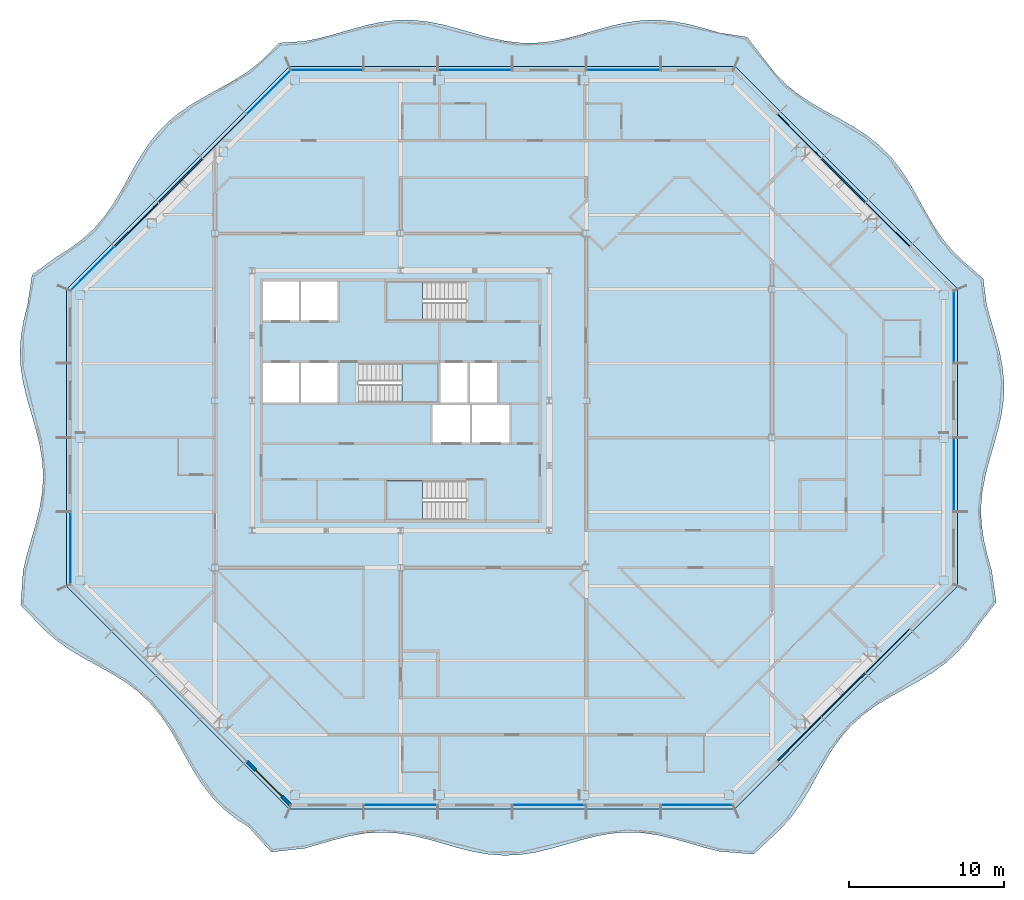
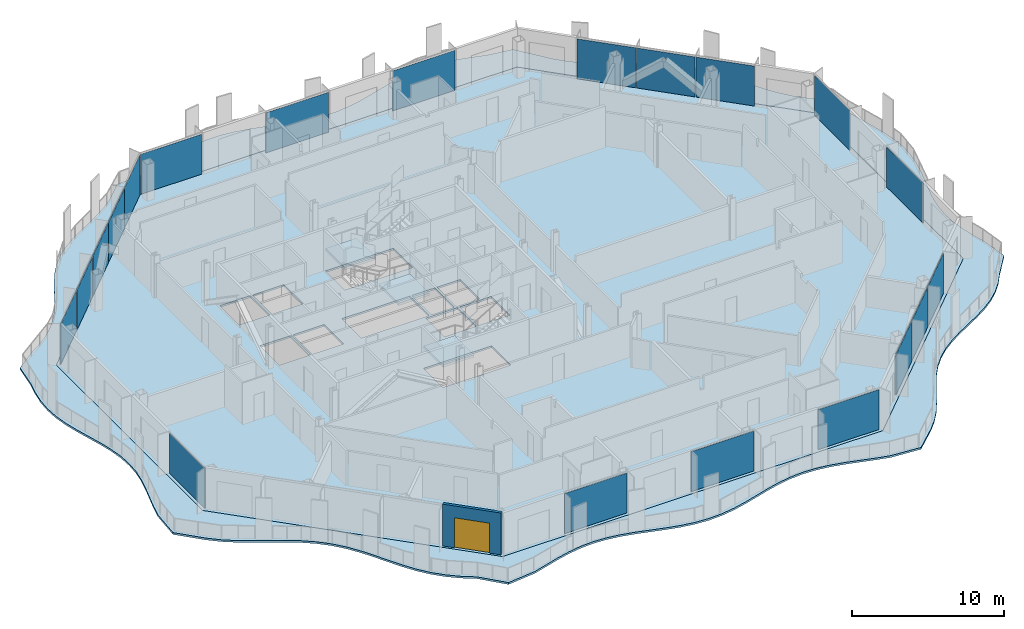
# One storey, part 6 of 19: 20 plates, 5 slabs, 1 door, 1 wall, 1 opening, 10 elements without a shape of their own.
"""IFC4 building model written with IfcOpenShell, lengths in metres."""

from ifc_helpers import new_model, si_unit, direction, frame, frame_2d, origin, origin_2d, place, context, subcontext, project, spatial, polyline, rectangle, outline, extrude, material, layer, layer_set, type_object, element, fill, aggregate, save


model = new_model("IFC4")

# Units and contexts
model_context = context("Model", 3, precision=1e-05, world=origin(), true_north=direction((0.0, 1.0)))
body_context = subcontext(model_context, "Body", "Model", "MODEL_VIEW")
ifc_project = project(units=[si_unit("LENGTHUNIT", "METRE"), si_unit("AREAUNIT", "SQUARE_METRE"), si_unit("VOLUMEUNIT", "CUBIC_METRE"), si_unit("PLANEANGLEUNIT", "RADIAN"), si_unit("MASSUNIT", "GRAM", prefix="KILO")], contexts=[model_context])

# Site, building, storey
site_placement = place(None, origin())
site = spatial("IfcSite", under=ifc_project, at=site_placement, CompositionType="ELEMENT")
building_placement = place(site_placement, origin())
building = spatial("IfcBuilding", under=site, at=building_placement, Name="Cairn Pilgrim Tower", CompositionType="ELEMENT")
storey_placement = place(building_placement, frame((0.0, 0.0, 201.0)))
storey = spatial("IfcBuildingStorey", under=building, at=storey_placement, Name="L51", CompositionType="ELEMENT", Elevation=201.0)

# Slabs
ifc_material_1 = material(Name="Concrete C35/45", Category="concrete")
ifc_layer_1 = layer(ifc_material_1, 0.14990234375)
ifc_layer_set_1 = layer_set([ifc_layer_1], Name="BALCONY SLAB 150 CONCRETE C35/45")
slab_type_1 = type_object("IfcSlabType", Name="BALCONY SLAB 150 CONCRETE C35/45", PredefinedType="FLOOR", material=ifc_layer_set_1)
slab_1_placement = place(storey_placement, frame((0.0, 0.0, -0.14990234375)))
element("IfcSlab", 1, at=slab_1_placement, inside=storey, type_object=slab_type_1, Name="Balcony slab BS-1", PredefinedType="FLOOR", context=body_context, shape_type="SweptSolid", body=[
    extrude(outline(polyline([(-2.615966796875, -25.17578125), (-1.151611328125, -26.7802734375), (0.9931640625, -26.538818359375), (1.986328125, -26.254150390625), (2.979248046875, -25.968505859375), (3.972412109375, -25.725341796875), (4.965576171875, -25.56103515625), (5.958740234375, -25.5), (6.95166015625, -25.5517578125), (7.94482421875, -25.708251953125), (8.93798828125, -25.9462890625), (9.93115234375, -26.229736328125), (10.924072265625, -26.516357421875), (11.917236328125, -26.762939453125), (12.910400390625, -26.932373046875), (13.903564453125, -26.99951171875), (14.896484375, -26.9541015625), (15.8896484375, -26.802734375), (16.8828125, -26.568603515625), (17.8759765625, -26.28662109375), (18.868896484375, -25.9990234375), (19.862060546875, -25.749267578125), (20.855224609375, -25.574462890625), (21.848388671875, -25.501220703125), (22.84130859375, -25.54052734375), (23.83447265625, -25.686279296875), (24.82763671875, -25.916748046875), (25.82080078125, -26.197265625), (26.813720703125, -26.485595703125), (27.806884765625, -26.738525390625), (30.0087890625, -26.918212890625), (31.639892578125, -25.39990234375), (32.3330078125, -24.653076171875), (32.94677734375, -23.82666015625), (33.498046875, -22.938232421875), (34.013671875, -22.013671875), (34.525634765625, -21.085693359375), (35.06689453125, -20.186767578125), (35.66552734375, -19.345458984375), (36.3408203125, -18.580810546875), (37.099609375, -17.899658203125), (37.93603515625, -17.296142578125), (38.831787109375, -16.751708984375), (39.7587890625, -16.23876953125), (40.6845703125, -15.724609375), (41.57666015625, -15.1767578125), (42.407958984375, -14.56787109375), (43.160888671875, -13.880859375), (43.830078125, -13.110107421875), (44.423828125, -12.263916015625), (45.691650390625, -10.632080078125), (45.3984375, -8.58935546875), (45.11328125, -7.578857421875), (44.88037109375, -6.568359375), (44.736083984375, -5.557861328125), (44.70263671875, -4.54736328125), (44.785400390625, -3.536865234375), (44.9716796875, -2.5263671875), (45.23193359375, -1.515869140625), (45.5263671875, -0.50537109375), (45.80859375, 0.50537109375), (46.035400390625, 1.515869140625), (46.171142578125, 2.5263671875), (46.19482421875, 3.536865234375), (46.1025390625, 4.54736328125), (45.9091796875, 5.557861328125), (45.644287109375, 6.568359375), (45.34912109375, 7.578857421875), (45.06982421875, 8.58935546875), (44.849365234375, 10.283203125), (43.55615234375, 11.396240234375), (42.8271484375, 12.107177734375), (42.180908203125, 12.90087890625), (41.605712890625, 13.765625), (41.07861328125, 14.678466796875), (40.569091796875, 15.609130859375), (40.044189453125, 16.5244140625), (39.47314453125, 17.39306640625), (38.832275390625, 18.1923828125), (38.109130859375, 18.9091796875), (37.30419921875, 19.544189453125), (36.430908203125, 20.111083984375), (35.513671875, 20.633544921875), (34.583251953125, 21.14306640625), (33.6728515625, 21.6728515625), (32.812744140625, 22.252685546875), (32.02490234375, 22.905029296875), (31.320068359375, 23.64013671875), (30.696044921875, 24.4560546875), (29.583251953125, 25.89111328125), (27.806884765625, 26.16845703125), (26.813720703125, 26.4580078125), (25.82080078125, 26.71630859375), (24.82763671875, 26.904541015625), (23.83447265625, 26.99462890625), (22.84130859375, 26.972900390625), (21.848388671875, 26.842529296875), (20.855224609375, 26.623046875), (19.862060546875, 26.34765625), (18.868896484375, 26.0576171875), (17.8759765625, 25.796630859375), (16.8828125, 25.603515625), (15.8896484375, 25.507568359375), (14.896484375, 25.52294921875), (13.903564453125, 25.647705078125), (12.910400390625, 25.86279296875), (11.917236328125, 26.13623046875), (10.924072265625, 26.426513671875), (9.93115234375, 26.6904296875), (8.93798828125, 26.88818359375), (7.94482421875, 26.989990234375), (6.95166015625, 26.980712890625), (5.958740234375, 26.86181640625), (4.965576171875, 26.65087890625), (3.972412109375, 26.3798828125), (2.979248046875, 26.08935546875), (1.986328125, 25.82275390625), (0.9931640625, 25.62060546875), (-0.626708984375, 25.5126953125), (-1.79296875, 24.352783203125), (-2.597900390625, 23.7177734375), (-3.470947265625, 23.151123046875), (-4.388427734375, 22.62841796875), (-5.31884765625, 22.118896484375), (-6.229248046875, 21.589111328125), (-7.08935546875, 21.00927734375), (-7.876953125, 20.35693359375), (-8.581787109375, 19.621826171875), (-9.2060546875, 18.805908203125), (-9.7646484375, 17.924560546875), (-10.283447265625, 17.00341796875), (-10.793701171875, 16.07373046875), (-11.3291015625, 15.1689453125), (-11.918212890625, 14.318115234375), (-12.58203125, 13.5419921875), (-13.3291015625, 12.84912109375), (-14.155517578125, 12.235595703125), (-15.04443359375, 11.684326171875), (-16.618896484375, 10.51904296875), (-16.910888671875, 8.58935546875), (-17.162353515625, 7.578857421875), (-17.334228515625, 6.568359375), (-17.399658203125, 5.557861328125), (-17.348876953125, 4.54736328125), (-17.189208984375, 3.536865234375), (-16.94580078125, 2.5263671875), (-16.656494140625, 1.515869140625), (-16.365966796875, 0.50537109375), (-16.119873046875, -0.50537109375), (-15.9560546875, -1.515869140625), (-15.89990234375, -2.5263671875), (-15.960693359375, -3.536865234375), (-16.12841796875, -4.54736328125), (-16.377197265625, -5.557861328125), (-16.66845703125, -6.568359375), (-16.956787109375, -7.578857421875), (-17.197509765625, -8.58935546875), (-17.35302734375, -10.8232421875), (-15.80078125, -12.44091796875), (-15.030029296875, -13.10986328125), (-14.183349609375, -13.703369140625), (-13.281494140625, -14.241455078125), (-12.3525390625, -14.75244140625), (-11.4296875, -15.26953125), (-10.544921875, -15.82470703125), (-9.72412109375, -16.444091796875), (-8.9833984375, -17.143310546875), (-8.325927734375, -17.92578125), (-7.74169921875, -18.78173828125), (-7.209716796875, -19.689697265625), (-6.69970703125, -20.61962890625), (-6.178955078125, -21.5390625), (-5.615966796875, -22.416015625), (-4.986083984375, -23.22607421875), (-4.274658203125, -23.95458984375), (-3.480712890625, -24.600830078125), (-2.615966796875, -25.17578125)]), holes=[polyline([(28.800048828125, -24.0), (0.0, -24.0), (-14.39990234375, -9.60009765625), (-14.39990234375, 9.60009765625), (0.0, 24.0), (28.800048828125, 24.0), (43.199951171875, 9.60009765625), (43.199951171875, -9.60009765625), (28.800048828125, -24.0)])]), origin(), (0.0, 0.0, 1.0), 0.14990234375),
])
ifc_layer_2 = layer(ifc_material_1, 0.14990234375)
ifc_layer_set_2 = layer_set([ifc_layer_2], Name="COMPOSITE FLOOR SLAB 150")
slab_type_2 = type_object("IfcSlabType", Name="COMPOSITE FLOOR SLAB 150", PredefinedType="FLOOR", material=ifc_layer_set_2)
slab_2_placement = place(storey_placement, frame((0.0, 0.0, -0.14990234375)))
element("IfcSlab", 2, at=slab_2_placement, inside=storey, type_object=slab_type_2, Name="FLOOR SLAB L51", PredefinedType="FLOOR", context=body_context, shape_type="SweptSolid", body=[
    extrude(outline(polyline([(0.0, -24.0), (28.800048828125, -24.0), (43.199951171875, -9.60009765625), (43.199951171875, 9.60009765625), (28.800048828125, 24.0), (0.0, 24.0), (-14.39990234375, 9.60009765625), (-14.39990234375, -9.60009765625), (0.0, -24.0)]), holes=[polyline([(9.27490234375, -0.324951171875), (11.675048828125, -0.324951171875), (11.675048828125, 2.125), (9.27490234375, 2.125), (9.27490234375, -0.324951171875)]), polyline([(11.824951171875, -0.324951171875), (14.22509765625, -0.324951171875), (14.22509765625, 2.125), (11.824951171875, 2.125), (11.824951171875, -0.324951171875)]), polyline([(-1.72509765625, 2.27490234375), (0.625, 2.27490234375), (0.625, 4.824951171875), (-1.72509765625, 4.824951171875), (-1.72509765625, 2.27490234375)]), polyline([(0.77490234375, 2.27490234375), (3.125, 2.27490234375), (3.125, 4.824951171875), (0.77490234375, 4.824951171875), (0.77490234375, 2.27490234375)]), polyline([(-1.72509765625, 7.574951171875), (0.625, 7.574951171875), (0.625, 10.10009765625), (-1.72509765625, 10.10009765625), (-1.72509765625, 7.574951171875)]), polyline([(0.77490234375, 7.574951171875), (3.125, 7.574951171875), (3.125, 10.10009765625), (0.77490234375, 10.10009765625), (0.77490234375, 7.574951171875)]), polyline([(9.77490234375, 2.27490234375), (11.52490234375, 2.27490234375), (11.52490234375, 4.824951171875), (9.77490234375, 4.824951171875), (9.77490234375, 2.27490234375)]), polyline([(11.675048828125, 2.27490234375), (13.425048828125, 2.27490234375), (13.425048828125, 4.824951171875), (11.675048828125, 4.824951171875), (11.675048828125, 2.27490234375)]), polyline([(11.424560546875, -2.77490234375), (6.27490234375, -2.77490234375), (6.27490234375, -5.300048828125), (11.424560546875, -5.300048828125), (11.424560546875, -2.77490234375)]), polyline([(4.4755859375, 2.27490234375), (9.625, 2.27490234375), (9.625, 4.824951171875), (4.4755859375, 4.824951171875), (4.4755859375, 2.27490234375)]), polyline([(11.424560546875, 10.10009765625), (6.27490234375, 10.10009765625), (6.27490234375, 7.574951171875), (11.424560546875, 7.574951171875), (11.424560546875, 10.10009765625)])]), origin(), (0.0, 0.0, 1.0), 0.14990234375),
])

# Curtain wall, plates
ifc_material_2 = material(Name="Aluminium alloy 6063-T6 bronze anodised with Bronze tinted laminated low-E glass 8+16+8.8", Category="aluminium")
curtain_wall_type_1 = type_object("IfcCurtainWallType", Name="CHAMFER CORNER CURTAIN WALL", PredefinedType="NOTDEFINED", material=ifc_material_2)
curtain_wall_1_placement = place(storey_placement, origin())
curtain_wall_1 = element("IfcCurtainWall", 3, at=curtain_wall_1_placement, inside=storey, type_object=curtain_wall_type_1, Name="Chamfer Corner Curtain Wall SE", PredefinedType="NOTDEFINED")
ifc_material_3 = material(Name="Bronze anodised aluminium spandrel panel with mineral wool insulation", Category="aluminium")
ifc_layer_3 = layer(ifc_material_3, 0.06005859375)
ifc_layer_set_3 = layer_set([ifc_layer_3], Name="SPANDREL PANEL 3972x3200")
plate_type_1 = type_object("IfcPlateType", Name="SPANDREL PANEL 3972x3200", PredefinedType="CURTAIN_PANEL", material=ifc_layer_set_3)
plate_1_placement = place(storey_placement, frame((32.972412109375, -19.473876953125, 0.0), z_axis=(0.0, 0.0, 1.0), x_axis=(0.707106781187, 0.707106781187, 0.0)))
plate_1 = element("IfcPlate", 4, at=plate_1_placement, type_object=plate_type_1, Name="Spandrel Panel SE2-1", PredefinedType="CURTAIN_PANEL", context=body_context, shape_type="SweptSolid", body=[
    extrude(rectangle(XDim=3.971435546875, YDim=0.06005859375, at=origin_2d()), origin(), (0.0, 0.0, 1.0), 3.199951171875),
])
plate_2_placement = place(storey_placement, frame((35.8232421875, -16.623291015625, 0.0), z_axis=(0.0, 0.0, 1.0), x_axis=(0.707106781187, 0.707106781187, 0.0)))
plate_2 = element("IfcPlate", 5, at=plate_2_placement, type_object=plate_type_1, Name="Spandrel Panel SE3-1", PredefinedType="CURTAIN_PANEL", context=body_context, shape_type="SweptSolid", body=[
    extrude(rectangle(XDim=3.971435546875, YDim=0.06005859375, at=origin_2d()), origin(), (0.0, 0.0, 1.0), 3.199951171875),
])
plate_3_placement = place(storey_placement, frame((38.673828125, -13.7724609375, 0.0), z_axis=(0.0, 0.0, 1.0), x_axis=(0.707106781187, 0.707106781187, 0.0)))
plate_3 = element("IfcPlate", 6, at=plate_3_placement, type_object=plate_type_1, Name="Spandrel Panel SE4-1", PredefinedType="CURTAIN_PANEL", context=body_context, shape_type="SweptSolid", body=[
    extrude(rectangle(XDim=3.971435546875, YDim=0.06005859375, at=origin_2d()), origin(), (0.0, 0.0, 1.0), 3.199951171875),
])
aggregate(curtain_wall_1, [plate_1, plate_2, plate_3])

curtain_wall_2_placement = place(storey_placement, origin())
curtain_wall_2 = element("IfcCurtainWall", 7, at=curtain_wall_2_placement, inside=storey, type_object=curtain_wall_type_1, Name="Chamfer Corner Curtain Wall NE", PredefinedType="NOTDEFINED")
plate_4_placement = place(storey_placement, frame((38.673828125, 13.7724609375, 0.0), z_axis=(0.0, 0.0, 1.0), x_axis=(-0.707106781187, 0.707106781187, 0.0)))
plate_4 = element("IfcPlate", 8, at=plate_4_placement, type_object=plate_type_1, Name="Spandrel Panel NE2-1", PredefinedType="CURTAIN_PANEL", context=body_context, shape_type="SweptSolid", body=[
    extrude(rectangle(XDim=3.971435546875, YDim=0.06005859375, at=origin_2d()), origin(), (0.0, 0.0, 1.0), 3.199951171875),
])
plate_5_placement = place(storey_placement, frame((35.8232421875, 16.623291015625, 0.0), z_axis=(0.0, 0.0, 1.0), x_axis=(-0.707106781187, 0.707106781187, 0.0)))
plate_5 = element("IfcPlate", 9, at=plate_5_placement, type_object=plate_type_1, Name="Spandrel Panel NE3-1", PredefinedType="CURTAIN_PANEL", context=body_context, shape_type="SweptSolid", body=[
    extrude(rectangle(XDim=3.971435546875, YDim=0.06005859375, at=origin_2d()), origin(), (0.0, 0.0, 1.0), 3.199951171875),
])
plate_6_placement = place(storey_placement, frame((32.972412109375, 19.473876953125, 0.0), z_axis=(0.0, 0.0, 1.0), x_axis=(-0.707106781187, 0.707106781187, 0.0)))
plate_6 = element("IfcPlate", 10, at=plate_6_placement, type_object=plate_type_1, Name="Spandrel Panel NE4-1", PredefinedType="CURTAIN_PANEL", context=body_context, shape_type="SweptSolid", body=[
    extrude(rectangle(XDim=3.971435546875, YDim=0.06005859375, at=origin_2d()), origin(), (0.0, 0.0, 1.0), 3.199951171875),
])
aggregate(curtain_wall_2, [plate_4, plate_5, plate_6])

curtain_wall_3_placement = place(storey_placement, origin())
curtain_wall_3 = element("IfcCurtainWall", 11, at=curtain_wall_3_placement, inside=storey, type_object=curtain_wall_type_1, Name="Chamfer Corner Curtain Wall NW", PredefinedType="NOTDEFINED")
plate_7_placement = place(storey_placement, frame((-4.172607421875, 19.473876953125, 0.0), z_axis=(0.0, 0.0, 1.0), x_axis=(-0.707106781187, -0.707106781187, 0.0)))
plate_7 = element("IfcPlate", 12, at=plate_7_placement, type_object=plate_type_1, Name="Spandrel Panel NW2-1", PredefinedType="CURTAIN_PANEL", context=body_context, shape_type="SweptSolid", body=[
    extrude(rectangle(XDim=3.971435546875, YDim=0.06005859375, at=origin_2d()), origin(), (0.0, 0.0, 1.0), 3.199951171875),
])
plate_8_placement = place(storey_placement, frame((-7.023193359375, 16.623291015625, 0.0), z_axis=(0.0, 0.0, 1.0), x_axis=(-0.707106781187, -0.707106781187, 0.0)))
plate_8 = element("IfcPlate", 13, at=plate_8_placement, type_object=plate_type_1, Name="Spandrel Panel NW3-1", PredefinedType="CURTAIN_PANEL", context=body_context, shape_type="SweptSolid", body=[
    extrude(rectangle(XDim=3.971435546875, YDim=0.06005859375, at=origin_2d()), origin(), (0.0, 0.0, 1.0), 3.199951171875),
])
plate_9_placement = place(storey_placement, frame((-9.8740234375, 13.7724609375, 0.0), z_axis=(0.0, 0.0, 1.0), x_axis=(-0.707106781187, -0.707106781187, 0.0)))
plate_9 = element("IfcPlate", 14, at=plate_9_placement, type_object=plate_type_1, Name="Spandrel Panel NW4-1", PredefinedType="CURTAIN_PANEL", context=body_context, shape_type="SweptSolid", body=[
    extrude(rectangle(XDim=3.971435546875, YDim=0.06005859375, at=origin_2d()), origin(), (0.0, 0.0, 1.0), 3.199951171875),
])

# Stair, slab
ifc_material_4 = material(Name="Concrete C32/40", Category="concrete")
stair_type = type_object("IfcStairType", Name="EXIT STAIR 1200", PredefinedType="HALF_TURN_STAIR", material=ifc_material_4)
stair_1_placement = place(storey_placement, origin())
stair_1 = element("IfcStair", 15, at=stair_1_placement, inside=storey, type_object=stair_type, Name="L51 Exit Stair A", PredefinedType="HALF_TURN_STAIR")
ifc_layer_4 = layer(ifc_material_4, 0.199951171875)
ifc_layer_set_4 = layer_set([ifc_layer_4], Name="STAIR LANDING 200")
slab_type_3 = type_object("IfcSlabType", Name="STAIR LANDING 200", PredefinedType="LANDING", material=ifc_layer_set_4)
slab_3_placement = place(storey_placement, frame((0.0, 0.0, 1.60009765625)))
slab_3 = element("IfcSlab", 16, at=slab_3_placement, type_object=slab_type_3, Name="ST-A landing 1", PredefinedType="LANDING", context=body_context, shape_type="SweptSolid", body=[
    extrude(outline(polyline([(8.625, -2.77490234375), (6.27490234375, -2.77490234375), (6.27490234375, -5.300048828125), (8.625, -5.300048828125), (8.625, -2.77490234375)])), origin(), (0.0, 0.0, 1.0), 0.199951171875),
])
aggregate(stair_1, [slab_3])

stair_2_placement = place(storey_placement, origin())
stair_2 = element("IfcStair", 17, at=stair_2_placement, inside=storey, type_object=stair_type, Name="L51 Exit Stair B", PredefinedType="HALF_TURN_STAIR")
slab_4_placement = place(storey_placement, frame((0.0, 0.0, 1.60009765625)))
slab_4 = element("IfcSlab", 18, at=slab_4_placement, type_object=slab_type_3, Name="ST-B landing 1", PredefinedType="LANDING", context=body_context, shape_type="SweptSolid", body=[
    extrude(outline(polyline([(7.27490234375, 2.27490234375), (9.625, 2.27490234375), (9.625, 4.824951171875), (7.27490234375, 4.824951171875), (7.27490234375, 2.27490234375)])), origin(), (0.0, 0.0, 1.0), 0.199951171875),
])
aggregate(stair_2, [slab_4])

stair_3_placement = place(storey_placement, origin())
stair_3 = element("IfcStair", 19, at=stair_3_placement, inside=storey, type_object=stair_type, Name="L51 Exit Stair C", PredefinedType="HALF_TURN_STAIR")
slab_5_placement = place(storey_placement, frame((0.0, 0.0, 1.60009765625)))
slab_5 = element("IfcSlab", 20, at=slab_5_placement, type_object=slab_type_3, Name="ST-C landing 1", PredefinedType="LANDING", context=body_context, shape_type="SweptSolid", body=[
    extrude(outline(polyline([(8.625, 10.10009765625), (6.27490234375, 10.10009765625), (6.27490234375, 7.574951171875), (8.625, 7.574951171875), (8.625, 10.10009765625)])), origin(), (0.0, 0.0, 1.0), 0.199951171875),
])
aggregate(stair_3, [slab_5])

# Plate
ifc_material_5 = material(Name="Bronze tinted laminated low-E glass 8+16+8.8", Category="glass")
ifc_layer_5 = layer(ifc_material_5, 0.033935546875)
ifc_layer_set_5 = layer_set([ifc_layer_5], Name="VISION GLAZING 3962x3200")
plate_type_2 = type_object("IfcPlateType", Name="VISION GLAZING 3962x3200", PredefinedType="CURTAIN_PANEL", material=ifc_layer_set_5)
plate_10_placement = place(storey_placement, frame((-1.325439453125, 22.321044921875, 0.0), z_axis=(0.0, 0.0, 1.0), x_axis=(-0.707106781187, -0.707106781187, 0.0)))
plate_10 = element("IfcPlate", 21, at=plate_10_placement, type_object=plate_type_2, Name="Vision Glazing NW1-1", PredefinedType="CURTAIN_PANEL", context=body_context, shape_type="SweptSolid", body=[
    extrude(rectangle(XDim=3.96142578125, YDim=0.033935546875, at=origin_2d()), origin(), (0.0, 0.0, 1.0), 3.199951171875),
])

plate_11_placement = place(storey_placement, frame((-12.72119140625, 10.92529296875, 0.0), z_axis=(0.0, 0.0, 1.0), x_axis=(-0.707106781187, -0.707106781187, 0.0)))
plate_11 = element("IfcPlate", 22, at=plate_11_placement, type_object=plate_type_2, Name="Vision Glazing NW5-1", PredefinedType="CURTAIN_PANEL", context=body_context, shape_type="SweptSolid", body=[
    extrude(rectangle(XDim=3.96142578125, YDim=0.033935546875, at=origin_2d()), origin(), (0.0, 0.0, 1.0), 3.199951171875),
])

aggregate(curtain_wall_3, [plate_10, plate_7, plate_8, plate_9, plate_11])

# Curtain wall, plate
curtain_wall_type_2 = type_object("IfcCurtainWallType", Name="TOWER STICK CURTAIN WALL NS", PredefinedType="NOTDEFINED", material=ifc_material_2)
curtain_wall_4_placement = place(storey_placement, origin())
curtain_wall_4 = element("IfcCurtainWall", 23, at=curtain_wall_4_placement, inside=storey, type_object=curtain_wall_type_2, Name="Tower Stick Curtain Wall Ns S", PredefinedType="NOTDEFINED")
ifc_layer_6 = layer(ifc_material_5, 0.033935546875)
ifc_layer_set_6 = layer_set([ifc_layer_6], Name="VISION GLAZING 4626x3200")
plate_type_3 = type_object("IfcPlateType", Name="VISION GLAZING 4626x3200", PredefinedType="CURTAIN_PANEL", material=ifc_layer_set_6)
plate_12_placement = place(storey_placement, frame((26.34326171875, -23.75, 0.0), z_axis=(0.0, 0.0, 1.0), x_axis=(1.0, 0.0, 0.0)))
plate_12 = element("IfcPlate", 24, at=plate_12_placement, type_object=plate_type_3, Name="Vision Glazing S6-1", PredefinedType="CURTAIN_PANEL", context=body_context, shape_type="SweptSolid", body=[
    extrude(rectangle(XDim=4.62646484375, YDim=0.033935546875, at=origin_2d()), origin(), (0.0, 0.0, 1.0), 3.199951171875),
])

curtain_wall_type_3 = type_object("IfcCurtainWallType", Name="TOWER STICK CURTAIN WALL EW", PredefinedType="NOTDEFINED", material=ifc_material_2)
curtain_wall_5_placement = place(storey_placement, origin())
curtain_wall_5 = element("IfcCurtainWall", 25, at=curtain_wall_5_placement, inside=storey, type_object=curtain_wall_type_3, Name="Tower Stick Curtain Wall Ew E", PredefinedType="NOTDEFINED")
plate_13_placement = place(storey_placement, frame((42.949951171875, 7.143310546875, 0.0), z_axis=(0.0, 0.0, 1.0), x_axis=(0.0, 1.0, 0.0)))
plate_13 = element("IfcPlate", 26, at=plate_13_placement, type_object=plate_type_3, Name="Vision Glazing E4-1", PredefinedType="CURTAIN_PANEL", context=body_context, shape_type="SweptSolid", body=[
    extrude(rectangle(XDim=4.62646484375, YDim=0.033935546875, at=origin_2d()), origin(), (0.0, 0.0, 1.0), 3.199951171875),
])

curtain_wall_6_placement = place(storey_placement, origin())
curtain_wall_6 = element("IfcCurtainWall", 27, at=curtain_wall_6_placement, inside=storey, type_object=curtain_wall_type_2, Name="Tower Stick Curtain Wall Ns N", PredefinedType="NOTDEFINED")
plate_14_placement = place(storey_placement, frame((2.456787109375, 23.75, 0.0), z_axis=(0.0, 0.0, 1.0), x_axis=(-1.0, 0.0, 0.0)))
plate_14 = element("IfcPlate", 28, at=plate_14_placement, type_object=plate_type_3, Name="Vision Glazing N6-1", PredefinedType="CURTAIN_PANEL", context=body_context, shape_type="SweptSolid", body=[
    extrude(rectangle(XDim=4.62646484375, YDim=0.033935546875, at=origin_2d()), origin(), (0.0, 0.0, 1.0), 3.199951171875),
])

curtain_wall_7_placement = place(storey_placement, origin())
curtain_wall_7 = element("IfcCurtainWall", 29, at=curtain_wall_7_placement, inside=storey, type_object=curtain_wall_type_3, Name="Tower Stick Curtain Wall Ew W", PredefinedType="NOTDEFINED")
plate_15_placement = place(storey_placement, frame((-14.14990234375, -7.143310546875, 0.0), z_axis=(0.0, 0.0, 1.0), x_axis=(0.0, -1.0, 0.0)))
plate_15 = element("IfcPlate", 30, at=plate_15_placement, type_object=plate_type_3, Name="Vision Glazing W4-1", PredefinedType="CURTAIN_PANEL", context=body_context, shape_type="SweptSolid", body=[
    extrude(rectangle(XDim=4.62646484375, YDim=0.033935546875, at=origin_2d()), origin(), (0.0, 0.0, 1.0), 3.199951171875),
])
aggregate(curtain_wall_7, [plate_15])

# Plate
ifc_layer_7 = layer(ifc_material_5, 0.033935546875)
ifc_layer_set_7 = layer_set([ifc_layer_7], Name="VISION GLAZING 4740x3200")
plate_type_4 = type_object("IfcPlateType", Name="VISION GLAZING 4740x3200", PredefinedType="CURTAIN_PANEL", material=ifc_layer_set_7)
plate_16_placement = place(storey_placement, frame((7.199951171875, -23.75, 0.0), z_axis=(0.0, 0.0, 1.0), x_axis=(1.0, 0.0, 0.0)))
plate_16 = element("IfcPlate", 31, at=plate_16_placement, type_object=plate_type_4, Name="Vision Glazing S2-1", PredefinedType="CURTAIN_PANEL", context=body_context, shape_type="SweptSolid", body=[
    extrude(rectangle(XDim=4.739990234375, YDim=0.033935546875, at=origin_2d()), origin(), (0.0, 0.0, 1.0), 3.199951171875),
])

plate_17_placement = place(storey_placement, frame((16.800048828125, -23.75, 0.0), z_axis=(0.0, 0.0, 1.0), x_axis=(1.0, 0.0, 0.0)))
plate_17 = element("IfcPlate", 32, at=plate_17_placement, type_object=plate_type_4, Name="Vision Glazing S4-1", PredefinedType="CURTAIN_PANEL", context=body_context, shape_type="SweptSolid", body=[
    extrude(rectangle(XDim=4.739990234375, YDim=0.033935546875, at=origin_2d()), origin(), (0.0, 0.0, 1.0), 3.199951171875),
])

aggregate(curtain_wall_4, [plate_16, plate_17, plate_12])

plate_18_placement = place(storey_placement, frame((42.949951171875, -2.39990234375, 0.0), z_axis=(0.0, 0.0, 1.0), x_axis=(0.0, 1.0, 0.0)))
plate_18 = element("IfcPlate", 33, at=plate_18_placement, type_object=plate_type_4, Name="Vision Glazing E2-1", PredefinedType="CURTAIN_PANEL", context=body_context, shape_type="SweptSolid", body=[
    extrude(rectangle(XDim=4.739990234375, YDim=0.033935546875, at=origin_2d()), origin(), (0.0, 0.0, 1.0), 3.199951171875),
])

aggregate(curtain_wall_5, [plate_18, plate_13])

plate_19_placement = place(storey_placement, frame((21.60009765625, 23.75, 0.0), z_axis=(0.0, 0.0, 1.0), x_axis=(-1.0, 0.0, 0.0)))
plate_19 = element("IfcPlate", 34, at=plate_19_placement, type_object=plate_type_4, Name="Vision Glazing N2-1", PredefinedType="CURTAIN_PANEL", context=body_context, shape_type="SweptSolid", body=[
    extrude(rectangle(XDim=4.739990234375, YDim=0.033935546875, at=origin_2d()), origin(), (0.0, 0.0, 1.0), 3.199951171875),
])

plate_20_placement = place(storey_placement, frame((12.0, 23.75, 0.0), z_axis=(0.0, 0.0, 1.0), x_axis=(-1.0, 0.0, 0.0)))
plate_20 = element("IfcPlate", 35, at=plate_20_placement, type_object=plate_type_4, Name="Vision Glazing N4-1", PredefinedType="CURTAIN_PANEL", context=body_context, shape_type="SweptSolid", body=[
    extrude(rectangle(XDim=4.739990234375, YDim=0.033935546875, at=origin_2d()), origin(), (0.0, 0.0, 1.0), 3.199951171875),
])

aggregate(curtain_wall_6, [plate_19, plate_20, plate_14])

# Wall, opening, door
ifc_material_6 = material(Name="Bronze anodised aluminium insulated sandwich panel with mineral wool fill", Category="aluminium")
ifc_layer_8 = layer(ifc_material_6, 0.199951171875)
ifc_layer_set_8 = layer_set([ifc_layer_8], Name="BRONZE INFILL FRAME WALL 200")
wall_type = type_object("IfcWallType", Name="BRONZE INFILL FRAME WALL 200", PredefinedType="NOTDEFINED", material=ifc_layer_set_8)
wall_placement = place(storey_placement, frame((-2.725830078125, -20.92041015625, 0.0), z_axis=(0.0, 0.0, 1.0), x_axis=(0.707075965734, -0.707137595296, 0.0)))
wall = element("IfcWall", 36, at=wall_placement, inside=storey, type_object=wall_type, Name="Bronze infill frame wall IW-SW5", PredefinedType="NOTDEFINED", context=body_context, shape_type="SweptSolid", body=[
    extrude(rectangle(XDim=3.96142578125, YDim=0.199951171875, at=frame_2d((1.980712890625, 0.0))), origin(), (0.0, 0.0, 1.0), 3.35009765625),
])
opening_placement = place(wall_placement, frame((0.78564453125, 0.0, 0.0)))
opening = element("IfcOpeningElement", 37, at=opening_placement, cuts=wall, Name="Opening 5113B", PredefinedType="OPENING", context=body_context, shape_type="SweptSolid", body=[
    extrude(rectangle(XDim=2.39990234375, YDim=2.39990234375, at=frame_2d((1.199951171875, 1.199951171875))), frame((0.0, 0.10986328125, 0.0), z_axis=(0.0, -1.0, 0.0), x_axis=(1.0, 0.0, 0.0)), (0.0, 0.0, 1.0), 0.219970703125),
])
ifc_material_7 = material(Name="Bronze anodised aluminium frame with tinted low-E glass", Category="aluminium")
door_type = type_object("IfcDoorType", Name="BALCONY SLIDING DOOR 2400x2400", OperationType="DOUBLE_DOOR_SLIDING", PredefinedType="DOOR", material=ifc_material_7)
door_placement = place(opening_placement, origin())
door = element("IfcDoor", 38, at=door_placement, inside=storey, type_object=door_type, Name="Balcony sliding door 5113B", OperationType="SINGLE_SWING_LEFT", OverallHeight=2.39990234375, OverallWidth=2.39990234375, PredefinedType="DOOR", context=body_context, shape_type="SweptSolid", body=[
    extrude(rectangle(XDim=2.39990234375, YDim=2.39990234375, at=frame_2d((1.199951171875, 1.199951171875))), frame((0.0, 0.02490234375, 0.0), z_axis=(0.0, -1.0, 0.0), x_axis=(1.0, 0.0, 0.0)), (0.0, 0.0, 1.0), 0.050048828125),
])
fill(opening, door)

save(model, "model.ifc")
